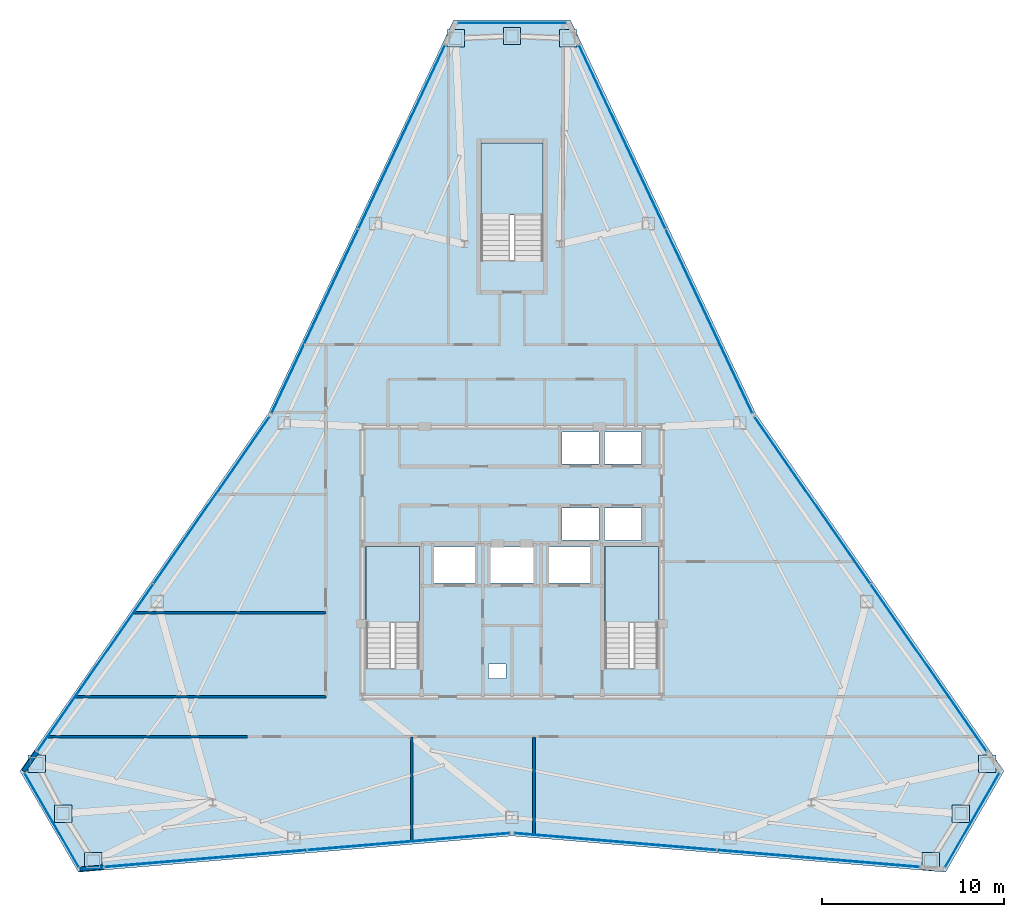
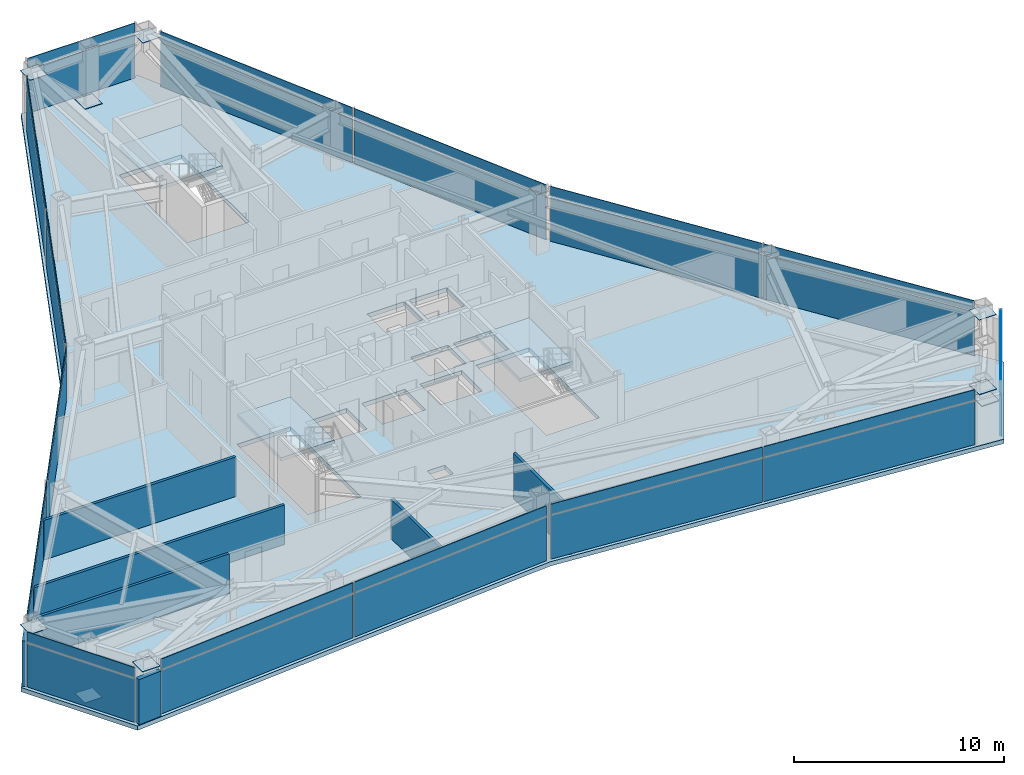
# One storey, part 8 of 12: 39 plates, 7 walls, 4 slabs, 12 elements without a shape of their own.
"""IFC4 building model written with IfcOpenShell, lengths in metres."""

from ifc_helpers import new_model, si_unit, direction, frame, frame_2d, origin, origin_2d, place, context, subcontext, project, spatial, polyline, rectangle, outline, extrude, source, transform, mapped, material, layer, layer_set, type_object, type_shapes, element, aggregate, save


model = new_model("IFC4")

# Units and contexts
model_context = context("Model", 3, precision=1e-05, world=origin(), true_north=direction((0.0, 1.0)))
body_context = subcontext(model_context, "Body", "Model", "MODEL_VIEW")
ifc_project = project(units=[si_unit("LENGTHUNIT", "METRE"), si_unit("AREAUNIT", "SQUARE_METRE"), si_unit("VOLUMEUNIT", "CUBIC_METRE"), si_unit("PLANEANGLEUNIT", "RADIAN"), si_unit("MASSUNIT", "GRAM", prefix="KILO")], contexts=[model_context])

# Site, building, storey
site_placement = place(None, origin())
site = spatial("IfcSite", under=ifc_project, at=site_placement, CompositionType="ELEMENT")
building_placement = place(site_placement, origin())
building = spatial("IfcBuilding", under=site, at=building_placement, Name="Varakhsha Concourse Tower", CompositionType="ELEMENT")
storey_placement = place(building_placement, frame((0.0, 0.0, 229.39990234375)))
storey = spatial("IfcBuildingStorey", under=building, at=storey_placement, Name="L65", CompositionType="ELEMENT", Elevation=229.39990234375)

# Slab
ifc_material_1 = material(Name="Concrete fc 45 MPa", Category="concrete")
ifc_layer_1 = layer(ifc_material_1, 0.25, Name="SL-FLR-250")
ifc_layer_set_1 = layer_set([ifc_layer_1], Name="Concrete fc 45 MPa")
slab_type_1 = type_object("IfcSlabType", Name="SL-FLR-250", PredefinedType="FLOOR", material=ifc_layer_set_1)
slab_1_placement = place(storey_placement, frame((0.0, 0.0, -0.25)))
element("IfcSlab", 1, at=slab_1_placement, inside=storey, type_object=slab_type_1, Name="L65 Composite Structural Slab", PredefinedType="FLOOR", context=body_context, shape_type="SweptSolid", body=[
    extrude(outline(polyline([(43.199951171875, 53.497314453125), (36.800048828125, 53.497314453125), (26.6337890625, 31.9169921875), (13.027587890625, 12.322509765625), (16.227783203125, 6.780029296875), (40.0, 8.765869140625), (63.772216796875, 6.780029296875), (66.972412109375, 12.322509765625), (53.3662109375, 31.9169921875), (43.199951171875, 53.497314453125)]), holes=[polyline([(34.919921875, 17.93994140625), (34.919921875, 24.6298828125), (32.0, 24.6298828125), (32.0, 17.93994140625), (34.919921875, 17.93994140625)]), polyline([(48.02001953125, 17.93994140625), (48.02001953125, 24.6298828125), (45.10009765625, 24.6298828125), (45.10009765625, 17.93994140625), (48.02001953125, 17.93994140625)]), polyline([(41.699951171875, 40.300048828125), (41.699951171875, 46.75), (38.300048828125, 46.75), (38.300048828125, 40.300048828125), (41.699951171875, 40.300048828125)]), polyline([(42.739990234375, 29.159912109375), (44.780029296875, 29.159912109375), (44.780029296875, 30.89990234375), (42.739990234375, 30.89990234375), (42.739990234375, 29.159912109375)]), polyline([(45.06005859375, 29.159912109375), (47.10009765625, 29.159912109375), (47.10009765625, 30.89990234375), (45.06005859375, 30.89990234375), (45.06005859375, 29.159912109375)]), polyline([(42.739990234375, 25.0), (44.780029296875, 25.0), (44.780029296875, 26.739990234375), (42.739990234375, 26.739990234375), (42.739990234375, 25.0)]), polyline([(45.06005859375, 25.0), (47.10009765625, 25.0), (47.10009765625, 26.739990234375), (45.06005859375, 26.739990234375), (45.06005859375, 25.0)]), polyline([(35.7099609375, 22.639892578125), (37.989990234375, 22.639892578125), (37.989990234375, 24.60009765625), (35.7099609375, 24.60009765625), (35.7099609375, 22.639892578125)]), polyline([(42.010009765625, 22.639892578125), (44.2900390625, 22.639892578125), (44.2900390625, 24.60009765625), (42.010009765625, 24.60009765625), (42.010009765625, 22.639892578125)]), polyline([(38.81005859375, 22.639892578125), (41.18994140625, 22.639892578125), (41.18994140625, 24.60009765625), (38.81005859375, 24.60009765625), (38.81005859375, 22.639892578125)]), polyline([(38.719970703125, 17.39990234375), (39.679931640625, 17.39990234375), (39.679931640625, 18.199951171875), (38.719970703125, 18.199951171875), (38.719970703125, 17.39990234375)])]), origin(), (0.0, 0.0, 1.0), 0.25),
])

# Stair, slab
stair_type_1 = type_object("IfcStairType", Name="ST-DOGLEG-1360", PredefinedType="HALF_TURN_STAIR", material=ifc_material_1)
stair_1_placement = place(storey_placement, origin())
stair_1 = element("IfcStair", 2, at=stair_1_placement, inside=storey, type_object=stair_type_1, Name="L65 Protected Exit Stair ST1", PredefinedType="HALF_TURN_STAIR")
ifc_layer_2 = layer(ifc_material_1, 0.199951171875, Name="SL-LAND-200")
ifc_layer_set_2 = layer_set([ifc_layer_2], Name="Concrete fc 45 MPa")
slab_type_2 = type_object("IfcSlabType", Name="SL-LAND-200", PredefinedType="LANDING", material=ifc_layer_set_2)
slab_2_placement = place(storey_placement, frame((0.0, 0.0, 1.550048828125)))
slab_2 = element("IfcSlab", 3, at=slab_2_placement, type_object=slab_type_2, Name="ST1 landing 1", PredefinedType="LANDING", context=body_context, shape_type="SweptSolid", body=[
    extrude(outline(polyline([(34.919921875, 20.4599609375), (34.919921875, 24.6298828125), (32.0, 24.6298828125), (32.0, 20.4599609375), (34.919921875, 20.4599609375)])), origin(), (0.0, 0.0, 1.0), 0.199951171875),
])
aggregate(stair_1, [slab_2])

stair_2_placement = place(storey_placement, origin())
stair_2 = element("IfcStair", 4, at=stair_2_placement, inside=storey, type_object=stair_type_1, Name="L65 Protected Exit Stair ST2", PredefinedType="HALF_TURN_STAIR")
slab_3_placement = place(storey_placement, frame((0.0, 0.0, 1.550048828125)))
slab_3 = element("IfcSlab", 5, at=slab_3_placement, type_object=slab_type_2, Name="ST2 landing 1", PredefinedType="LANDING", context=body_context, shape_type="SweptSolid", body=[
    extrude(outline(polyline([(48.02001953125, 20.4599609375), (48.02001953125, 24.6298828125), (45.10009765625, 24.6298828125), (45.10009765625, 20.4599609375), (48.02001953125, 20.4599609375)])), origin(), (0.0, 0.0, 1.0), 0.199951171875),
])
aggregate(stair_2, [slab_3])

stair_type_2 = type_object("IfcStairType", Name="ST-DOGLEG-1600", PredefinedType="HALF_TURN_STAIR", material=ifc_material_1)
stair_3_placement = place(storey_placement, origin())
stair_3 = element("IfcStair", 6, at=stair_3_placement, inside=storey, type_object=stair_type_2, Name="L65 Protected Exit Stair ST5", PredefinedType="HALF_TURN_STAIR")
slab_4_placement = place(storey_placement, frame((0.0, 0.0, 1.550048828125)))
slab_4 = element("IfcSlab", 7, at=slab_4_placement, type_object=slab_type_2, Name="ST5 landing 1", PredefinedType="LANDING", context=body_context, shape_type="SweptSolid", body=[
    extrude(outline(polyline([(41.699951171875, 42.820068359375), (41.699951171875, 46.75), (38.300048828125, 46.75), (38.300048828125, 42.820068359375), (41.699951171875, 42.820068359375)])), origin(), (0.0, 0.0, 1.0), 0.199951171875),
])
aggregate(stair_3, [slab_4])

# Plates
ifc_material_2 = material(Name="Structural Steel ASTM A572 Grade 50", Category="steel")
ifc_layer_3 = layer(ifc_material_2, 0.030029296875, Name="PL-ENDCAP-950")
ifc_layer_set_3 = layer_set([ifc_layer_3], Name="Structural Steel ASTM A572 Grade 50")
plate_type_1 = type_object("IfcPlateType", Name="PL-ENDCAP-950", PredefinedType="USERDEFINED", material=ifc_layer_set_3)
shared_shape_1 = source(origin(), body_context, "Body", "SweptSolid", [
    extrude(rectangle(XDim=0.949951171875, YDim=0.949951171875, at=origin_2d()), origin(), (0.0, 0.0, 1.0), 0.030029296875),
])
type_shapes(plate_type_1, [shared_shape_1])
for number, where, z_axis, x_axis, name in (
    (8, (40.0, 52.617431640625, 0.10498046875), (0.0, 0.0, 1.0), (1.0, 0.0, 0.0), "Hollow Section End Cap GP-NODE-L65-0664"),
    (9, (43.090087890625, 52.491455078125, 2.93505859375), (0.0, 0.0, 1.0), (1.0, 0.0, 0.0), "Hollow Section End Cap GP-NODE-L65-0665"),
    (10, (36.909912109375, 52.491455078125, 2.93505859375), (0.0, 0.0, 1.0), (1.0, 0.0, 0.0), "Hollow Section End Cap GP-NODE-L65-0666"),
    (11, (15.389892578125, 9.9912109375, 0.10498046875), (0.0, 0.0, 1.0), (1.0, 0.0, 0.0), "Hollow Section End Cap GP-NODE-L65-0667"),
    (12, (13.953857421875, 12.73046875, 2.93505859375), (0.0, 0.0, 1.0), (1.0, 0.0, 0.0), "Hollow Section End Cap GP-NODE-L65-0668"),
    (13, (17.0439453125, 7.378173828125, 2.93505859375), (0.0, 0.0, 1.0), (1.0, 0.0, 0.0), "Hollow Section End Cap GP-NODE-L65-0669"),
    (14, (64.610107421875, 9.9912109375, 0.10498046875), (0.0, 0.0, 1.0), (1.0, 0.0, 0.0), "Hollow Section End Cap GP-NODE-L65-0670"),
    (15, (62.9560546875, 7.378173828125, 2.93505859375), (0.0, 0.0, 1.0), (1.0, 0.0, 0.0), "Hollow Section End Cap GP-NODE-L65-0671"),
    (16, (66.046142578125, 12.73046875, 2.93505859375), (0.0, 0.0, 1.0), (1.0, 0.0, 0.0), "Hollow Section End Cap GP-NODE-L65-0672"),
):
    element("IfcPlate", number, at=place(storey_placement, frame(where, z_axis=z_axis, x_axis=x_axis)), inside=storey, type_object=plate_type_1, Name=name, ObjectType="END PLATE", PredefinedType="USERDEFINED", context=body_context, shape_type="MappedRepresentation", body=[
        mapped(shared_shape_1, transform((0.0, 0.0, 0.0), scale=1.0)),
    ])

# Curtain wall, plates
ifc_material_3 = material(Name="Anodised Bronze Architectural Aluminium AA 6063-T6", Category="aluminium")
ifc_layer_4 = layer(ifc_material_3, 0.199951171875, Name="CW-SYS-05")
ifc_layer_set_4 = layer_set([ifc_layer_4], Name="Anodised Bronze Architectural Aluminium AA 6063-T6")
curtain_wall_type = type_object("IfcCurtainWallType", Name="CW-SYS-05", PredefinedType="NOTDEFINED", material=ifc_layer_set_4)
curtain_wall_1_placement = place(storey_placement, origin())
curtain_wall_1 = element("IfcCurtainWall", 17, at=curtain_wall_1_placement, inside=storey, type_object=curtain_wall_type, Name="L65 Crystal Curtain Wall F2", PredefinedType="NOTDEFINED")
ifc_material_4 = material(Name="Low-E Triple Insulating Glass IGU 44 mm", Category="glass")
ifc_layer_5 = layer(ifc_material_4, 0.0439453125, Name="CWP-IGU-44")
ifc_layer_set_5 = layer_set([ifc_layer_5], Name="Low-E Triple Insulating Glass IGU 44 mm")
plate_type_2 = type_object("IfcPlateType", Name="CWP-IGU-44", PredefinedType="CURTAIN_PANEL", material=ifc_layer_set_5)
shared_shape_2 = source(origin(), body_context, "Body", "SweptSolid", [
    extrude(rectangle(XDim=11.1083984375, YDim=0.0439453125, at=origin_2d()), origin(), (0.0, 0.0, 1.0), 2.535888671875),
])
plate_1_placement = place(storey_placement, frame((29.1943359375, 36.97705078125, 0.0322265625), z_axis=(0.0, 0.0, 1.0), x_axis=(0.426172477405, 0.904641928888, 0.0)))
plate_1 = element("IfcPlate", 18, at=plate_1_placement, type_object=plate_type_2, Name="CW-L65-F2 Panel 00-00", PredefinedType="CURTAIN_PANEL", context=body_context, shape_type="MappedRepresentation", body=[
    mapped(shared_shape_2, transform((0.0, 0.0, 0.0), scale=1.0)),
])
plate_2_placement = place(storey_placement, frame((33.957763671875, 47.0888671875, 0.0322265625), z_axis=(0.0, 0.0, 1.0), x_axis=(0.426172477405, 0.904641928888, 0.0)))
plate_2 = element("IfcPlate", 19, at=plate_2_placement, type_object=plate_type_2, Name="CW-L65-F2 Panel 01-00", PredefinedType="CURTAIN_PANEL", context=body_context, shape_type="MappedRepresentation", body=[
    mapped(shared_shape_2, transform((0.0, 0.0, 0.0), scale=1.0)),
])

curtain_wall_2_placement = place(storey_placement, origin())
curtain_wall_2 = element("IfcCurtainWall", 20, at=curtain_wall_2_placement, inside=storey, type_object=curtain_wall_type, Name="L65 Crystal Curtain Wall F9", PredefinedType="NOTDEFINED")
plate_3_placement = place(storey_placement, frame((46.042236328125, 47.0888671875, 0.0322265625), z_axis=(0.0, 0.0, 1.0), x_axis=(0.426172477405, -0.904641928888, 0.0)))
plate_3 = element("IfcPlate", 21, at=plate_3_placement, type_object=plate_type_2, Name="CW-L65-F9 Panel 00-00", PredefinedType="CURTAIN_PANEL", context=body_context, shape_type="MappedRepresentation", body=[
    mapped(shared_shape_2, transform((0.0, 0.0, 0.0), scale=1.0)),
])
plate_4_placement = place(storey_placement, frame((50.8056640625, 36.97705078125, 0.0322265625), z_axis=(0.0, 0.0, 1.0), x_axis=(0.426172477405, -0.904641928888, 0.0)))
plate_4 = element("IfcPlate", 22, at=plate_4_placement, type_object=plate_type_2, Name="CW-L65-F9 Panel 01-00", PredefinedType="CURTAIN_PANEL", context=body_context, shape_type="MappedRepresentation", body=[
    mapped(shared_shape_2, transform((0.0, 0.0, 0.0), scale=1.0)),
])

# Plate
ifc_material_5 = material(Name="Insulated Anodised Bronze Aluminium Spandrel 36 mm", Category="aluminium")
ifc_layer_6 = layer(ifc_material_5, 0.035888671875, Name="CWP-SPN-36")
ifc_layer_set_6 = layer_set([ifc_layer_6], Name="Insulated Anodised Bronze Aluminium Spandrel 36 mm")
plate_type_3 = type_object("IfcPlateType", Name="CWP-SPN-36", PredefinedType="USERDEFINED", material=ifc_layer_set_6)
shared_shape_3 = source(origin(), body_context, "Body", "SweptSolid", [
    extrude(rectangle(XDim=11.1083984375, YDim=0.035888671875, at=origin_2d()), origin(), (0.0, 0.0, 1.0), 0.5859375),
])
plate_5_placement = place(storey_placement, frame((29.1943359375, 36.97705078125, 2.632080078125), z_axis=(0.0, 0.0, 1.0), x_axis=(0.426172477405, 0.904641928888, 0.0)))
plate_5 = element("IfcPlate", 23, at=plate_5_placement, type_object=plate_type_3, Name="CW-L65-F2 Panel 00-01", ObjectType="SPANDREL", PredefinedType="USERDEFINED", context=body_context, shape_type="MappedRepresentation", body=[
    mapped(shared_shape_3, transform((0.0, 0.0, 0.0), scale=1.0)),
])

plate_6_placement = place(storey_placement, frame((33.957763671875, 47.0888671875, 2.632080078125), z_axis=(0.0, 0.0, 1.0), x_axis=(0.426172477405, 0.904641928888, 0.0)))
plate_6 = element("IfcPlate", 24, at=plate_6_placement, type_object=plate_type_3, Name="CW-L65-F2 Panel 01-01", ObjectType="SPANDREL", PredefinedType="USERDEFINED", context=body_context, shape_type="MappedRepresentation", body=[
    mapped(shared_shape_3, transform((0.0, 0.0, 0.0), scale=1.0)),
])

aggregate(curtain_wall_1, [plate_1, plate_5, plate_2, plate_6])

plate_7_placement = place(storey_placement, frame((46.042236328125, 47.0888671875, 2.632080078125), z_axis=(0.0, 0.0, 1.0), x_axis=(0.426172477405, -0.904641928888, 0.0)))
plate_7 = element("IfcPlate", 25, at=plate_7_placement, type_object=plate_type_3, Name="CW-L65-F9 Panel 00-01", ObjectType="SPANDREL", PredefinedType="USERDEFINED", context=body_context, shape_type="MappedRepresentation", body=[
    mapped(shared_shape_3, transform((0.0, 0.0, 0.0), scale=1.0)),
])

plate_8_placement = place(storey_placement, frame((50.8056640625, 36.97705078125, 2.632080078125), z_axis=(0.0, 0.0, 1.0), x_axis=(0.426172477405, -0.904641928888, 0.0)))
plate_8 = element("IfcPlate", 26, at=plate_8_placement, type_object=plate_type_3, Name="CW-L65-F9 Panel 01-01", ObjectType="SPANDREL", PredefinedType="USERDEFINED", context=body_context, shape_type="MappedRepresentation", body=[
    mapped(shared_shape_3, transform((0.0, 0.0, 0.0), scale=1.0)),
])

aggregate(curtain_wall_2, [plate_3, plate_7, plate_4, plate_8])

# Curtain wall, plates
curtain_wall_3_placement = place(storey_placement, origin())
curtain_wall_3 = element("IfcCurtainWall", 27, at=curtain_wall_3_placement, inside=storey, type_object=curtain_wall_type, Name="L65 Crystal Curtain Wall F3", PredefinedType="NOTDEFINED")
shared_shape_4 = source(origin(), body_context, "Body", "SweptSolid", [
    extrude(rectangle(XDim=11.108642578125, YDim=0.0439453125, at=origin_2d()), origin(), (0.0, 0.0, 1.0), 2.535888671875),
])
type_shapes(plate_type_2, [shared_shape_2, shared_shape_4])
plate_9_placement = place(storey_placement, frame((17.156494140625, 17.98828125, 0.0322265625), z_axis=(0.0, 0.0, 1.0), x_axis=(0.570360953861, 0.821394169879, 0.0)))
plate_9 = element("IfcPlate", 28, at=plate_9_placement, type_object=plate_type_2, Name="CW-L65-F3 Panel 00-00", PredefinedType="CURTAIN_PANEL", context=body_context, shape_type="MappedRepresentation", body=[
    mapped(shared_shape_4, transform((0.0, 0.0, 0.0), scale=1.0)),
])
plate_10_placement = place(storey_placement, frame((23.531982421875, 27.16943359375, 0.0322265625), z_axis=(0.0, 0.0, 1.0), x_axis=(0.570360953861, 0.821394169879, 0.0)))
plate_10 = element("IfcPlate", 29, at=plate_10_placement, type_object=plate_type_2, Name="CW-L65-F3 Panel 01-00", PredefinedType="CURTAIN_PANEL", context=body_context, shape_type="MappedRepresentation", body=[
    mapped(shared_shape_4, transform((0.0, 0.0, 0.0), scale=1.0)),
])

curtain_wall_4_placement = place(storey_placement, origin())
curtain_wall_4 = element("IfcCurtainWall", 30, at=curtain_wall_4_placement, inside=storey, type_object=curtain_wall_type, Name="L65 Crystal Curtain Wall F5", PredefinedType="NOTDEFINED")
plate_11_placement = place(storey_placement, frame((34.337646484375, 8.453369140625, 0.0322265625), z_axis=(0.0, 0.0, 1.0), x_axis=(-0.996528985157, -0.083246511889, 0.0)))
plate_11 = element("IfcPlate", 31, at=plate_11_placement, type_object=plate_type_2, Name="CW-L65-F5 Panel 00-00", PredefinedType="CURTAIN_PANEL", context=body_context, shape_type="MappedRepresentation", body=[
    mapped(shared_shape_4, transform((0.0, 0.0, 0.0), scale=1.0)),
])
plate_12_placement = place(storey_placement, frame((23.19873046875, 7.52294921875, 0.0322265625), z_axis=(0.0, 0.0, 1.0), x_axis=(-0.996528985157, -0.083246511889, 0.0)))
plate_12 = element("IfcPlate", 32, at=plate_12_placement, type_object=plate_type_2, Name="CW-L65-F5 Panel 01-00", PredefinedType="CURTAIN_PANEL", context=body_context, shape_type="MappedRepresentation", body=[
    mapped(shared_shape_4, transform((0.0, 0.0, 0.0), scale=1.0)),
])

curtain_wall_5_placement = place(storey_placement, origin())
curtain_wall_5 = element("IfcCurtainWall", 33, at=curtain_wall_5_placement, inside=storey, type_object=curtain_wall_type, Name="L65 Crystal Curtain Wall F6", PredefinedType="NOTDEFINED")
plate_13_placement = place(storey_placement, frame((56.80126953125, 7.52294921875, 0.0322265625), z_axis=(0.0, 0.0, 1.0), x_axis=(-0.996528985157, 0.083246511889, 0.0)))
plate_13 = element("IfcPlate", 34, at=plate_13_placement, type_object=plate_type_2, Name="CW-L65-F6 Panel 00-00", PredefinedType="CURTAIN_PANEL", context=body_context, shape_type="MappedRepresentation", body=[
    mapped(shared_shape_4, transform((0.0, 0.0, 0.0), scale=1.0)),
])
plate_14_placement = place(storey_placement, frame((45.662353515625, 8.45361328125, 0.0322265625), z_axis=(0.0, 0.0, 1.0), x_axis=(-0.996528985157, 0.083246511889, 0.0)))
plate_14 = element("IfcPlate", 35, at=plate_14_placement, type_object=plate_type_2, Name="CW-L65-F6 Panel 01-00", PredefinedType="CURTAIN_PANEL", context=body_context, shape_type="MappedRepresentation", body=[
    mapped(shared_shape_4, transform((0.0, 0.0, 0.0), scale=1.0)),
])

curtain_wall_6_placement = place(storey_placement, origin())
curtain_wall_6 = element("IfcCurtainWall", 36, at=curtain_wall_6_placement, inside=storey, type_object=curtain_wall_type, Name="L65 Crystal Curtain Wall F8", PredefinedType="NOTDEFINED")
plate_15_placement = place(storey_placement, frame((56.468017578125, 27.16943359375, 0.0322265625), z_axis=(0.0, 0.0, 1.0), x_axis=(0.570360953861, -0.821394169879, 0.0)))
plate_15 = element("IfcPlate", 37, at=plate_15_placement, type_object=plate_type_2, Name="CW-L65-F8 Panel 00-00", PredefinedType="CURTAIN_PANEL", context=body_context, shape_type="MappedRepresentation", body=[
    mapped(shared_shape_4, transform((0.0, 0.0, 0.0), scale=1.0)),
])
plate_16_placement = place(storey_placement, frame((62.843505859375, 17.98828125, 0.0322265625), z_axis=(0.0, 0.0, 1.0), x_axis=(0.570360953861, -0.821394169879, 0.0)))
plate_16 = element("IfcPlate", 38, at=plate_16_placement, type_object=plate_type_2, Name="CW-L65-F8 Panel 01-00", PredefinedType="CURTAIN_PANEL", context=body_context, shape_type="MappedRepresentation", body=[
    mapped(shared_shape_4, transform((0.0, 0.0, 0.0), scale=1.0)),
])

# Plate
shared_shape_5 = source(origin(), body_context, "Body", "SweptSolid", [
    extrude(rectangle(XDim=11.108642578125, YDim=0.035888671875, at=origin_2d()), origin(), (0.0, 0.0, 1.0), 0.5859375),
])
plate_17_placement = place(storey_placement, frame((17.156494140625, 17.98828125, 2.632080078125), z_axis=(0.0, 0.0, 1.0), x_axis=(0.570360953861, 0.821394169879, 0.0)))
plate_17 = element("IfcPlate", 39, at=plate_17_placement, type_object=plate_type_3, Name="CW-L65-F3 Panel 00-01", ObjectType="SPANDREL", PredefinedType="USERDEFINED", context=body_context, shape_type="MappedRepresentation", body=[
    mapped(shared_shape_5, transform((0.0, 0.0, 0.0), scale=1.0)),
])

plate_18_placement = place(storey_placement, frame((23.531982421875, 27.16943359375, 2.632080078125), z_axis=(0.0, 0.0, 1.0), x_axis=(0.570360953861, 0.821394169879, 0.0)))
plate_18 = element("IfcPlate", 40, at=plate_18_placement, type_object=plate_type_3, Name="CW-L65-F3 Panel 01-01", ObjectType="SPANDREL", PredefinedType="USERDEFINED", context=body_context, shape_type="MappedRepresentation", body=[
    mapped(shared_shape_5, transform((0.0, 0.0, 0.0), scale=1.0)),
])

aggregate(curtain_wall_3, [plate_9, plate_17, plate_10, plate_18])

plate_19_placement = place(storey_placement, frame((34.337646484375, 8.453369140625, 2.632080078125), z_axis=(0.0, 0.0, 1.0), x_axis=(-0.996528985157, -0.083246511889, 0.0)))
plate_19 = element("IfcPlate", 41, at=plate_19_placement, type_object=plate_type_3, Name="CW-L65-F5 Panel 00-01", ObjectType="SPANDREL", PredefinedType="USERDEFINED", context=body_context, shape_type="MappedRepresentation", body=[
    mapped(shared_shape_5, transform((0.0, 0.0, 0.0), scale=1.0)),
])

plate_20_placement = place(storey_placement, frame((23.19873046875, 7.52294921875, 2.632080078125), z_axis=(0.0, 0.0, 1.0), x_axis=(-0.996528985157, -0.083246511889, 0.0)))
plate_20 = element("IfcPlate", 42, at=plate_20_placement, type_object=plate_type_3, Name="CW-L65-F5 Panel 01-01", ObjectType="SPANDREL", PredefinedType="USERDEFINED", context=body_context, shape_type="MappedRepresentation", body=[
    mapped(shared_shape_5, transform((0.0, 0.0, 0.0), scale=1.0)),
])

aggregate(curtain_wall_4, [plate_11, plate_19, plate_12, plate_20])

plate_21_placement = place(storey_placement, frame((56.80126953125, 7.52294921875, 2.632080078125), z_axis=(0.0, 0.0, 1.0), x_axis=(-0.996528985157, 0.083246511889, 0.0)))
plate_21 = element("IfcPlate", 43, at=plate_21_placement, type_object=plate_type_3, Name="CW-L65-F6 Panel 00-01", ObjectType="SPANDREL", PredefinedType="USERDEFINED", context=body_context, shape_type="MappedRepresentation", body=[
    mapped(shared_shape_5, transform((0.0, 0.0, 0.0), scale=1.0)),
])

plate_22_placement = place(storey_placement, frame((45.662353515625, 8.45361328125, 2.632080078125), z_axis=(0.0, 0.0, 1.0), x_axis=(-0.996528985157, 0.083246511889, 0.0)))
plate_22 = element("IfcPlate", 44, at=plate_22_placement, type_object=plate_type_3, Name="CW-L65-F6 Panel 01-01", ObjectType="SPANDREL", PredefinedType="USERDEFINED", context=body_context, shape_type="MappedRepresentation", body=[
    mapped(shared_shape_5, transform((0.0, 0.0, 0.0), scale=1.0)),
])

aggregate(curtain_wall_5, [plate_13, plate_21, plate_14, plate_22])

plate_23_placement = place(storey_placement, frame((56.468017578125, 27.16943359375, 2.632080078125), z_axis=(0.0, 0.0, 1.0), x_axis=(0.570360953861, -0.821394169879, 0.0)))
plate_23 = element("IfcPlate", 45, at=plate_23_placement, type_object=plate_type_3, Name="CW-L65-F8 Panel 00-01", ObjectType="SPANDREL", PredefinedType="USERDEFINED", context=body_context, shape_type="MappedRepresentation", body=[
    mapped(shared_shape_5, transform((0.0, 0.0, 0.0), scale=1.0)),
])

plate_24_placement = place(storey_placement, frame((62.843505859375, 17.98828125, 2.632080078125), z_axis=(0.0, 0.0, 1.0), x_axis=(0.570360953861, -0.821394169879, 0.0)))
plate_24 = element("IfcPlate", 46, at=plate_24_placement, type_object=plate_type_3, Name="CW-L65-F8 Panel 01-01", ObjectType="SPANDREL", PredefinedType="USERDEFINED", context=body_context, shape_type="MappedRepresentation", body=[
    mapped(shared_shape_5, transform((0.0, 0.0, 0.0), scale=1.0)),
])

aggregate(curtain_wall_6, [plate_15, plate_23, plate_16, plate_24])

# Curtain wall, plate
curtain_wall_7_placement = place(storey_placement, origin())
curtain_wall_7 = element("IfcCurtainWall", 47, at=curtain_wall_7_placement, inside=storey, type_object=curtain_wall_type, Name="L65 Chamfer Curtain Wall F1", PredefinedType="NOTDEFINED")
shared_shape_6 = source(origin(), body_context, "Body", "SweptSolid", [
    extrude(rectangle(XDim=5.89111328125, YDim=0.035888671875, at=origin_2d()), origin(), (0.0, 0.0, 1.0), 2.535888671875),
])
plate_25_placement = place(storey_placement, frame((40.0, 53.33740234375, 0.0322265625), z_axis=(0.0, 0.0, 1.0), x_axis=(1.0, 0.0, 0.0)))
plate_25 = element("IfcPlate", 48, at=plate_25_placement, type_object=plate_type_3, Name="CW-L65-F1 Panel 00-00", ObjectType="SPANDREL", PredefinedType="USERDEFINED", context=body_context, shape_type="MappedRepresentation", body=[
    mapped(shared_shape_6, transform((0.0, 0.0, 0.0), scale=1.0)),
])

curtain_wall_8_placement = place(storey_placement, origin())
curtain_wall_8 = element("IfcCurtainWall", 49, at=curtain_wall_8_placement, inside=storey, type_object=curtain_wall_type, Name="L65 Chamfer Curtain Wall F4", PredefinedType="NOTDEFINED")
plate_26_placement = place(storey_placement, frame((14.766357421875, 9.63134765625, 0.0322265625), z_axis=(0.0, 0.0, 1.0), x_axis=(-0.49999395399, 0.866028894422, 0.0)))
plate_26 = element("IfcPlate", 50, at=plate_26_placement, type_object=plate_type_3, Name="CW-L65-F4 Panel 00-00", ObjectType="SPANDREL", PredefinedType="USERDEFINED", context=body_context, shape_type="MappedRepresentation", body=[
    mapped(shared_shape_6, transform((0.0, 0.0, 0.0), scale=1.0)),
])

curtain_wall_9_placement = place(storey_placement, origin())
curtain_wall_9 = element("IfcCurtainWall", 51, at=curtain_wall_9_placement, inside=storey, type_object=curtain_wall_type, Name="L65 Chamfer Curtain Wall F7", PredefinedType="NOTDEFINED")
plate_27_placement = place(storey_placement, frame((65.233642578125, 9.63134765625, 0.0322265625), z_axis=(0.0, 0.0, 1.0), x_axis=(-0.49999395399, -0.866028894422, 0.0)))
plate_27 = element("IfcPlate", 52, at=plate_27_placement, type_object=plate_type_3, Name="CW-L65-F7 Panel 00-00", ObjectType="SPANDREL", PredefinedType="USERDEFINED", context=body_context, shape_type="MappedRepresentation", body=[
    mapped(shared_shape_6, transform((0.0, 0.0, 0.0), scale=1.0)),
])

# Plate
shared_shape_7 = source(origin(), body_context, "Body", "SweptSolid", [
    extrude(rectangle(XDim=5.89111328125, YDim=0.035888671875, at=origin_2d()), origin(), (0.0, 0.0, 1.0), 0.5859375),
])
type_shapes(plate_type_3, [shared_shape_3, shared_shape_5, shared_shape_6, shared_shape_7])
plate_28_placement = place(storey_placement, frame((40.0, 53.33740234375, 2.632080078125), z_axis=(0.0, 0.0, 1.0), x_axis=(1.0, 0.0, 0.0)))
plate_28 = element("IfcPlate", 53, at=plate_28_placement, type_object=plate_type_3, Name="CW-L65-F1 Panel 00-01", ObjectType="SPANDREL", PredefinedType="USERDEFINED", context=body_context, shape_type="MappedRepresentation", body=[
    mapped(shared_shape_7, transform((0.0, 0.0, 0.0), scale=1.0)),
])

aggregate(curtain_wall_7, [plate_25, plate_28])

plate_29_placement = place(storey_placement, frame((14.766357421875, 9.63134765625, 2.632080078125), z_axis=(0.0, 0.0, 1.0), x_axis=(-0.49999395399, 0.866028894422, 0.0)))
plate_29 = element("IfcPlate", 54, at=plate_29_placement, type_object=plate_type_3, Name="CW-L65-F4 Panel 00-01", ObjectType="SPANDREL", PredefinedType="USERDEFINED", context=body_context, shape_type="MappedRepresentation", body=[
    mapped(shared_shape_7, transform((0.0, 0.0, 0.0), scale=1.0)),
])

aggregate(curtain_wall_8, [plate_26, plate_29])

plate_30_placement = place(storey_placement, frame((65.233642578125, 9.63134765625, 2.632080078125), z_axis=(0.0, 0.0, 1.0), x_axis=(-0.49999395399, -0.866028894422, 0.0)))
plate_30 = element("IfcPlate", 55, at=plate_30_placement, type_object=plate_type_3, Name="CW-L65-F7 Panel 00-01", ObjectType="SPANDREL", PredefinedType="USERDEFINED", context=body_context, shape_type="MappedRepresentation", body=[
    mapped(shared_shape_7, transform((0.0, 0.0, 0.0), scale=1.0)),
])

aggregate(curtain_wall_9, [plate_27, plate_30])

# Walls
ifc_layer_7 = layer(ifc_material_1, 0.239990234375, Name="WL-EXT-CRN-240")
ifc_layer_set_7 = layer_set([ifc_layer_7], Name="Concrete fc 45 MPa")
wall_type_1 = type_object("IfcWallType", Name="WL-EXT-CRN-240", PredefinedType="SHEAR", material=ifc_layer_set_7)
wall_1_placement = place(storey_placement, frame((13.950439453125, 13.37109375, 0.0), z_axis=(0.0, 0.0, 1.0), x_axis=(-0.5703386897, -0.821409629254, 0.0)))
element("IfcWall", 56, at=wall_1_placement, inside=storey, type_object=wall_type_1, Name="L65 Wind-Corner Shoulder Wall F3", PredefinedType="SHEAR", context=body_context, shape_type="SweptSolid", body=[
    extrude(rectangle(XDim=1.28173828125, YDim=0.239990234375, at=frame_2d((0.640869140625, 0.0))), origin(), (0.0, 0.0, 1.0), 2.623046875),
])
wall_2_placement = place(storey_placement, frame((16.320068359375, 6.9482421875, 0.0), z_axis=(0.0, 0.0, 1.0), x_axis=(0.996527336769, 0.083266242097, 0.0)))
element("IfcWall", 57, at=wall_2_placement, inside=storey, type_object=wall_type_1, Name="L65 Wind-Corner Shoulder Wall F5", PredefinedType="SHEAR", context=body_context, shape_type="SweptSolid", body=[
    extrude(rectangle(XDim=1.28125, YDim=0.239990234375, at=frame_2d((0.640625, 0.0))), origin(), (0.0, 0.0, 1.0), 2.623046875),
])
ifc_material_6 = material(Name="Fire-Rated Type X Gypsum Partition Assembly", Category="gypsum")
ifc_layer_8 = layer(ifc_material_6, 0.14990234375, Name="WL-PART-150")
ifc_layer_set_8 = layer_set([ifc_layer_8], Name="Fire-Rated Type X Gypsum Partition Assembly")
wall_type_2 = type_object("IfcWallType", Name="WL-PART-150", PredefinedType="PARTITIONING", material=ifc_layer_set_8)
wall_3_placement = place(storey_placement, frame((14.5322265625, 14.199951171875, 0.0), z_axis=(0.0, 0.0, 1.0), x_axis=(1.0, 0.0, 0.0)))
element("IfcWall", 58, at=wall_3_placement, inside=storey, type_object=wall_type_2, Name="L65 Wall CRW-SGAL-SW-L65", PredefinedType="PARTITIONING", context=body_context, shape_type="SweptSolid", body=[
    extrude(rectangle(XDim=10.9677734375, YDim=0.14990234375, at=frame_2d((5.48388671875, 0.0))), origin(), (0.0, 0.0, 1.0), 2.2919921875),
])
wall_4_placement = place(storey_placement, frame((16.059814453125, 16.39990234375, 0.0), z_axis=(0.0, 0.0, 1.0), x_axis=(1.0, 0.0, 0.0)))
element("IfcWall", 59, at=wall_4_placement, inside=storey, type_object=wall_type_2, Name="L65 Wall CRW-SGAL-NW-L65", PredefinedType="PARTITIONING", context=body_context, shape_type="SweptSolid", body=[
    extrude(rectangle(XDim=13.740234375, YDim=0.14990234375, at=frame_2d((6.8701171875, 0.0))), origin(), (0.0, 0.0, 1.0), 2.2919921875),
])
wall_5_placement = place(storey_placement, frame((34.5, 8.471923828125, 0.0), z_axis=(0.0, 0.0, 1.0), x_axis=(0.0, 1.0, 0.0)))
element("IfcWall", 60, at=wall_5_placement, inside=storey, type_object=wall_type_2, Name="L65 Wall ODIV-S1-L65", PredefinedType="PARTITIONING", context=body_context, shape_type="SweptSolid", body=[
    extrude(rectangle(XDim=5.72802734375, YDim=0.14990234375, at=frame_2d((2.864013671875, 0.0))), origin(), (0.0, 0.0, 1.0), 2.2919921875),
])
wall_6_placement = place(storey_placement, frame((41.199951171875, 8.831298828125, 0.0), z_axis=(0.0, 0.0, 1.0), x_axis=(0.0, 1.0, 0.0)))
element("IfcWall", 61, at=wall_6_placement, inside=storey, type_object=wall_type_2, Name="L65 Wall ODIV-S2-L65", PredefinedType="PARTITIONING", context=body_context, shape_type="SweptSolid", body=[
    extrude(rectangle(XDim=5.36865234375, YDim=0.14990234375, at=frame_2d((2.684326171875, 0.0))), origin(), (0.0, 0.0, 1.0), 2.628173828125),
])
wall_7_placement = place(storey_placement, frame((19.25390625, 21.0, 0.0), z_axis=(0.0, 0.0, 1.0), x_axis=(1.0, 0.0, 0.0)))
element("IfcWall", 62, at=wall_7_placement, inside=storey, type_object=wall_type_2, Name="L65 Wall ODIV-W1-L65", PredefinedType="PARTITIONING", context=body_context, shape_type="SweptSolid", body=[
    extrude(rectangle(XDim=10.546142578125, YDim=0.14990234375, at=frame_2d((5.27294921875, 0.0))), origin(), (0.0, 0.0, 1.0), 2.2919921875),
])

save(model, "model.ifc")
